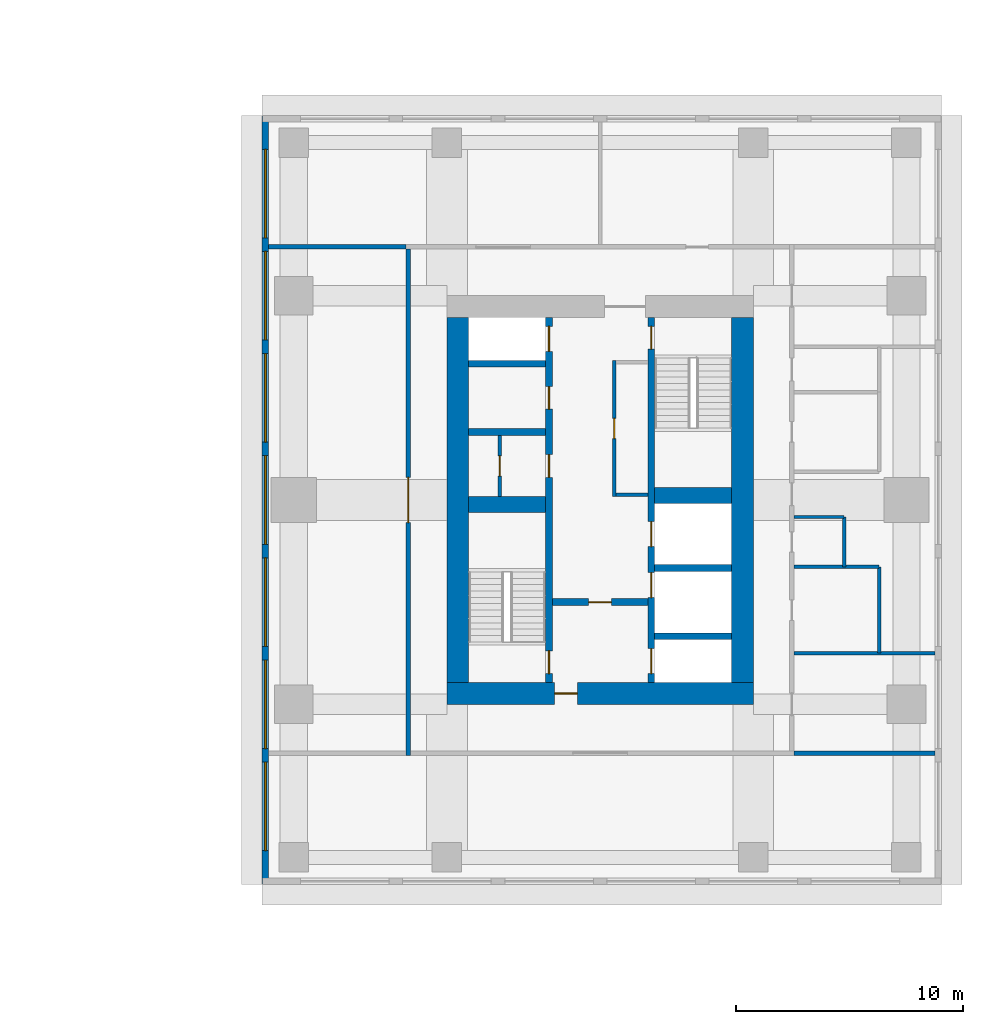
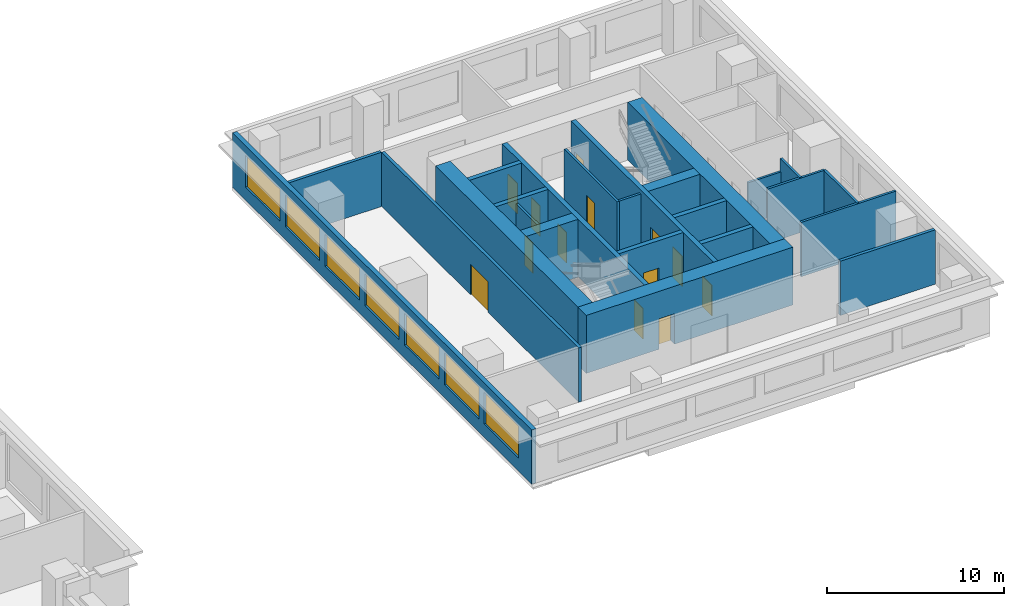
# One storey, part 6 of 10: 24 walls, 13 doors, 7 windows, 20 openings.
"""IFC4 building model written with IfcOpenShell, lengths in metres."""

from ifc_helpers import new_model, si_unit, direction, frame, frame_2d, origin, place, context, subcontext, project, spatial, rectangle, extrude, material, layer, layer_set, type_object, element, fill, save


model = new_model("IFC4")

# Units and contexts
model_context = context("Model", 3, precision=1e-05, world=origin(), true_north=direction((0.0, 1.0)))
body_context = subcontext(model_context, "Body", "Model", "MODEL_VIEW")
ifc_project = project(units=[si_unit("LENGTHUNIT", "METRE"), si_unit("AREAUNIT", "SQUARE_METRE"), si_unit("VOLUMEUNIT", "CUBIC_METRE"), si_unit("PLANEANGLEUNIT", "RADIAN"), si_unit("MASSUNIT", "GRAM", prefix="KILO")], contexts=[model_context])

# Site, building, storey
site_placement = place(None, origin())
site = spatial("IfcSite", under=ifc_project, at=site_placement, CompositionType="ELEMENT")
building_placement = place(site_placement, origin())
building = spatial("IfcBuilding", under=site, at=building_placement, Name="Namib Vertical Campus", CompositionType="ELEMENT")
storey_placement = place(building_placement, frame((0.0, 0.0, 229.0)))
storey = spatial("IfcBuildingStorey", under=building, at=storey_placement, Name="L54", CompositionType="ELEMENT", Elevation=229.0)

# Wall, openings, doors
ifc_material_1 = material(Name="Concrete C60/75", Category="concrete")
ifc_layer_1 = layer(ifc_material_1, 0.300048828125)
ifc_layer_set_1 = layer_set([ifc_layer_1], Name="Concrete C60/75")
wall_type_1 = type_object("IfcWallType", Name="Core inner wall 300", PredefinedType="SHEAR", material=ifc_layer_set_1)
wall_1_placement = place(storey_placement, frame((78.75, 12.199951171875, 0.0), z_axis=(0.0, 0.0, 1.0), x_axis=(0.0, 1.0, 0.0)))
wall_1 = element("IfcWall", 1, at=wall_1_placement, inside=storey, type_object=wall_type_1, Name="Core inner wall B L54 W1", PredefinedType="SHEAR", context=body_context, shape_type="SweptSolid", body=[
    extrude(rectangle(XDim=16.10009765625, YDim=0.300048828125, at=frame_2d((8.050048828125, 0.0))), origin(), (0.0, 0.0, 1.0), 4.0),
])
opening_1_placement = place(wall_1_placement, frame((0.39990234375, 0.0, 0.0)))
opening_1 = element("IfcOpeningElement", 2, at=opening_1_placement, cuts=wall_1, Name="Opening FD1", PredefinedType="OPENING", context=body_context, shape_type="SweptSolid", body=[
    extrude(rectangle(XDim=1.0, YDim=2.10009765625, at=frame_2d((0.5, 1.050048828125))), frame((0.0, 0.159912109375, 0.0), z_axis=(0.0, -1.0, 0.0), x_axis=(1.0, 0.0, 0.0)), (0.0, 0.0, 1.0), 0.320068359375),
])
opening_2_placement = place(wall_1_placement, frame((14.60009765625, 0.0, 0.0)))
opening_2 = element("IfcOpeningElement", 3, at=opening_2_placement, cuts=wall_1, Name="Opening LD1", PredefinedType="OPENING", context=body_context, shape_type="SweptSolid", body=[
    extrude(rectangle(XDim=1.10009765625, YDim=2.10009765625, at=frame_2d((0.550048828125, 1.050048828125))), frame((0.0, 0.159912109375, 0.0), z_axis=(0.0, -1.0, 0.0), x_axis=(1.0, 0.0, 0.0)), (0.0, 0.0, 1.0), 0.320068359375),
])
opening_3_placement = place(wall_1_placement, frame((9.050048828125, 0.0, 0.0)))
opening_3 = element("IfcOpeningElement", 4, at=opening_3_placement, cuts=wall_1, Name="Opening D1", PredefinedType="OPENING", context=body_context, shape_type="SweptSolid", body=[
    extrude(rectangle(XDim=1.0, YDim=2.10009765625, at=frame_2d((0.5, 1.050048828125))), frame((0.0, 0.159912109375, 0.0), z_axis=(0.0, -1.0, 0.0), x_axis=(1.0, 0.0, 0.0)), (0.0, 0.0, 1.0), 0.320068359375),
])
opening_4_placement = place(wall_1_placement, frame((12.050048828125, 0.0, 0.0)))
opening_4 = element("IfcOpeningElement", 5, at=opening_4_placement, cuts=wall_1, Name="Opening D1", PredefinedType="OPENING", context=body_context, shape_type="SweptSolid", body=[
    extrude(rectangle(XDim=1.0, YDim=2.10009765625, at=frame_2d((0.5, 1.050048828125))), frame((0.0, 0.159912109375, 0.0), z_axis=(0.0, -1.0, 0.0), x_axis=(1.0, 0.0, 0.0)), (0.0, 0.0, 1.0), 0.320068359375),
])
ifc_material_2 = material(Name="Timber door leaf", Category="wood")
door_type_1 = type_object("IfcDoorType", Name="Door single 1000x2100", OperationType="SINGLE_SWING_LEFT", PredefinedType="DOOR", material=ifc_material_2)
door_1_placement = place(opening_3_placement, origin())
door_1 = element("IfcDoor", 6, at=door_1_placement, inside=storey, type_object=door_type_1, Name="Door D1 Store B L54 P1", OperationType="SINGLE_SWING_LEFT", OverallHeight=2.10009765625, OverallWidth=1.0, PredefinedType="DOOR", context=body_context, shape_type="SweptSolid", body=[
    extrude(rectangle(XDim=1.0, YDim=2.10009765625, at=frame_2d((0.5, 1.050048828125))), frame((0.0, 0.02490234375, 0.0), z_axis=(0.0, -1.0, 0.0), x_axis=(1.0, 0.0, 0.0)), (0.0, 0.0, 1.0), 0.050048828125),
])
fill(opening_3, door_1)
door_2_placement = place(opening_4_placement, origin())
door_2 = element("IfcDoor", 7, at=door_2_placement, inside=storey, type_object=door_type_1, Name="Door D1 Cleaners' store B L54 P2", OperationType="SINGLE_SWING_LEFT", OverallHeight=2.10009765625, OverallWidth=1.0, PredefinedType="DOOR", context=body_context, shape_type="SweptSolid", body=[
    extrude(rectangle(XDim=1.0, YDim=2.10009765625, at=frame_2d((0.5, 1.050048828125))), frame((0.0, 0.02490234375, 0.0), z_axis=(0.0, -1.0, 0.0), x_axis=(1.0, 0.0, 0.0)), (0.0, 0.0, 1.0), 0.050048828125),
])
fill(opening_4, door_2)
ifc_material_3 = material(Name="Steel fire door", Category="steel")
door_type_2 = type_object("IfcDoorType", Name="Fire door 1000x2100", OperationType="SINGLE_SWING_RIGHT", PredefinedType="DOOR", material=ifc_material_3)
door_3_placement = place(opening_1_placement, origin())
door_3 = element("IfcDoor", 8, at=door_3_placement, inside=storey, type_object=door_type_2, Name="Stair door FD1 B L54 S1", OperationType="SINGLE_SWING_LEFT", OverallHeight=2.10009765625, OverallWidth=1.0, PredefinedType="DOOR", context=body_context, shape_type="SweptSolid", body=[
    extrude(rectangle(XDim=1.0, YDim=2.10009765625, at=frame_2d((0.5, 1.050048828125))), frame((0.0, 0.02490234375, 0.0), z_axis=(0.0, -1.0, 0.0), x_axis=(1.0, 0.0, 0.0)), (0.0, 0.0, 1.0), 0.050048828125),
])
fill(opening_1, door_3)
ifc_material_4 = material(Name="Stainless steel lift door", Category="steel")
door_type_3 = type_object("IfcDoorType", Name="Lift landing door 1100x2100", OperationType="DOUBLE_DOOR_SLIDING", PredefinedType="DOOR", material=ifc_material_4)
door_4_placement = place(opening_2_placement, origin())
door_4 = element("IfcDoor", 9, at=door_4_placement, inside=storey, type_object=door_type_3, Name="Lift landing door LD1 B-P3 L54", OperationType="DOUBLE_DOOR_SLIDING", OverallHeight=2.10009765625, OverallWidth=1.10009765625, PredefinedType="DOOR", context=body_context, shape_type="SweptSolid", body=[
    extrude(rectangle(XDim=1.10009765625, YDim=2.10009765625, at=frame_2d((0.550048828125, 1.050048828125))), frame((0.0, 0.02490234375, 0.0), z_axis=(0.0, -1.0, 0.0), x_axis=(1.0, 0.0, 0.0)), (0.0, 0.0, 1.0), 0.050048828125),
])
fill(opening_2, door_4)

wall_2_placement = place(storey_placement, frame((83.25, 12.199951171875, 0.0), z_axis=(0.0, 0.0, 1.0), x_axis=(0.0, 1.0, 0.0)))
wall_2 = element("IfcWall", 10, at=wall_2_placement, inside=storey, type_object=wall_type_1, Name="Core inner wall B L54 W2", PredefinedType="SHEAR", context=body_context, shape_type="SweptSolid", body=[
    extrude(rectangle(XDim=16.10009765625, YDim=0.300048828125, at=frame_2d((8.050048828125, 0.0))), origin(), (0.0, 0.0, 1.0), 4.0),
])
opening_5_placement = place(wall_2_placement, frame((14.699951171875, 0.0, 0.0)))
opening_5 = element("IfcOpeningElement", 11, at=opening_5_placement, cuts=wall_2, Name="Opening FD1", PredefinedType="OPENING", context=body_context, shape_type="SweptSolid", body=[
    extrude(rectangle(XDim=1.0, YDim=2.10009765625, at=frame_2d((0.5, 1.050048828125))), frame((0.0, 0.159912109375, 0.0), z_axis=(0.0, -1.0, 0.0), x_axis=(1.0, 0.0, 0.0)), (0.0, 0.0, 1.0), 0.320068359375),
])
opening_6_placement = place(wall_2_placement, frame((0.39990234375, 0.0, 0.0)))
opening_6 = element("IfcOpeningElement", 12, at=opening_6_placement, cuts=wall_2, Name="Opening LD1", PredefinedType="OPENING", context=body_context, shape_type="SweptSolid", body=[
    extrude(rectangle(XDim=1.10009765625, YDim=2.10009765625, at=frame_2d((0.550048828125, 1.050048828125))), frame((0.0, 0.159912109375, 0.0), z_axis=(0.0, -1.0, 0.0), x_axis=(1.0, 0.0, 0.0)), (0.0, 0.0, 1.0), 0.320068359375),
])
opening_7_placement = place(wall_2_placement, frame((3.75, 0.0, 0.0)))
opening_7 = element("IfcOpeningElement", 13, at=opening_7_placement, cuts=wall_2, Name="Opening LD1", PredefinedType="OPENING", context=body_context, shape_type="SweptSolid", body=[
    extrude(rectangle(XDim=1.10009765625, YDim=2.10009765625, at=frame_2d((0.550048828125, 1.050048828125))), frame((0.0, 0.159912109375, 0.0), z_axis=(0.0, -1.0, 0.0), x_axis=(1.0, 0.0, 0.0)), (0.0, 0.0, 1.0), 0.320068359375),
])
opening_8_placement = place(wall_2_placement, frame((6.0, 0.0, 0.0)))
opening_8 = element("IfcOpeningElement", 14, at=opening_8_placement, cuts=wall_2, Name="Opening LD1", PredefinedType="OPENING", context=body_context, shape_type="SweptSolid", body=[
    extrude(rectangle(XDim=1.10009765625, YDim=2.10009765625, at=frame_2d((0.550048828125, 1.050048828125))), frame((0.0, 0.159912109375, 0.0), z_axis=(0.0, -1.0, 0.0), x_axis=(1.0, 0.0, 0.0)), (0.0, 0.0, 1.0), 0.320068359375),
])
door_5_placement = place(opening_5_placement, frame((1.0, 0.0, 0.0), z_axis=(0.0, 0.0, 1.0), x_axis=(-1.0, 0.0, 0.0)))
door_5 = element("IfcDoor", 15, at=door_5_placement, inside=storey, type_object=door_type_2, Name="Stair door FD1 B L54 S2", OperationType="SINGLE_SWING_LEFT", OverallHeight=2.10009765625, OverallWidth=1.0, PredefinedType="DOOR", context=body_context, shape_type="SweptSolid", body=[
    extrude(rectangle(XDim=1.0, YDim=2.10009765625, at=frame_2d((0.5, 1.050048828125))), frame((0.0, 0.02490234375, 0.0), z_axis=(0.0, -1.0, 0.0), x_axis=(1.0, 0.0, 0.0)), (0.0, 0.0, 1.0), 0.050048828125),
])
fill(opening_5, door_5)
door_6_placement = place(opening_6_placement, origin())
door_6 = element("IfcDoor", 16, at=door_6_placement, inside=storey, type_object=door_type_3, Name="Lift landing door LD1 B-FL1 L54", OperationType="DOUBLE_DOOR_SLIDING", OverallHeight=2.10009765625, OverallWidth=1.10009765625, PredefinedType="DOOR", context=body_context, shape_type="SweptSolid", body=[
    extrude(rectangle(XDim=1.10009765625, YDim=2.10009765625, at=frame_2d((0.550048828125, 1.050048828125))), frame((0.0, 0.02490234375, 0.0), z_axis=(0.0, -1.0, 0.0), x_axis=(1.0, 0.0, 0.0)), (0.0, 0.0, 1.0), 0.050048828125),
])
fill(opening_6, door_6)
door_7_placement = place(opening_7_placement, origin())
door_7 = element("IfcDoor", 17, at=door_7_placement, inside=storey, type_object=door_type_3, Name="Lift landing door LD1 B-P4 L54", OperationType="DOUBLE_DOOR_SLIDING", OverallHeight=2.10009765625, OverallWidth=1.10009765625, PredefinedType="DOOR", context=body_context, shape_type="SweptSolid", body=[
    extrude(rectangle(XDim=1.10009765625, YDim=2.10009765625, at=frame_2d((0.550048828125, 1.050048828125))), frame((0.0, 0.02490234375, 0.0), z_axis=(0.0, -1.0, 0.0), x_axis=(1.0, 0.0, 0.0)), (0.0, 0.0, 1.0), 0.050048828125),
])
fill(opening_7, door_7)
door_8_placement = place(opening_8_placement, origin())
door_8 = element("IfcDoor", 18, at=door_8_placement, inside=storey, type_object=door_type_3, Name="Lift landing door LD1 B-P5 L54", OperationType="DOUBLE_DOOR_SLIDING", OverallHeight=2.10009765625, OverallWidth=1.10009765625, PredefinedType="DOOR", context=body_context, shape_type="SweptSolid", body=[
    extrude(rectangle(XDim=1.10009765625, YDim=2.10009765625, at=frame_2d((0.550048828125, 1.050048828125))), frame((0.0, 0.02490234375, 0.0), z_axis=(0.0, -1.0, 0.0), x_axis=(1.0, 0.0, 0.0)), (0.0, 0.0, 1.0), 0.050048828125),
])
fill(opening_8, door_8)

# Wall, opening, door
wall_3_placement = place(storey_placement, frame((78.89990234375, 15.75, 0.0), z_axis=(0.0, 0.0, 1.0), x_axis=(1.0, 0.0, 0.0)))
wall_3 = element("IfcWall", 19, at=wall_3_placement, inside=storey, type_object=wall_type_1, Name="Core inner wall B L54 W4", PredefinedType="SHEAR", context=body_context, shape_type="SweptSolid", body=[
    extrude(rectangle(XDim=4.2001953125, YDim=0.300048828125, at=frame_2d((2.10009765625, 0.0))), origin(), (0.0, 0.0, 1.0), 4.0),
])
opening_9_placement = place(wall_3_placement, frame((1.60009765625, 0.0, 0.0)))
opening_9 = element("IfcOpeningElement", 20, at=opening_9_placement, cuts=wall_3, Name="Opening FD5", PredefinedType="OPENING", context=body_context, shape_type="SweptSolid", body=[
    extrude(rectangle(XDim=1.0, YDim=2.10009765625, at=frame_2d((0.5, 1.050048828125))), frame((0.0, 0.159912109375, 0.0), z_axis=(0.0, -1.0, 0.0), x_axis=(1.0, 0.0, 0.0)), (0.0, 0.0, 1.0), 0.320068359375),
])
ifc_material_5 = material(Name="Steel fire door", Category="steel")
door_type_4 = type_object("IfcDoorType", Name="Fire door 1000x2100 120 min", OperationType="SINGLE_SWING_RIGHT", PredefinedType="DOOR", material=ifc_material_5)
door_9_placement = place(opening_9_placement, frame((1.0, 0.0, 0.0), z_axis=(0.0, 0.0, 1.0), x_axis=(-1.0, 0.0, 0.0)))
door_9 = element("IfcDoor", 21, at=door_9_placement, inside=storey, type_object=door_type_4, Name="Lobby door FD5 B L54", OperationType="SINGLE_SWING_RIGHT", OverallHeight=2.10009765625, OverallWidth=1.0, PredefinedType="DOOR", context=body_context, shape_type="SweptSolid", body=[
    extrude(rectangle(XDim=1.0, YDim=2.10009765625, at=frame_2d((0.5, 1.050048828125))), frame((0.0, 0.02490234375, 0.0), z_axis=(0.0, -1.0, 0.0), x_axis=(1.0, 0.0, 0.0)), (0.0, 0.0, 1.0), 0.050048828125),
])
fill(opening_9, door_9)

# Walls
for number, where, z_axis, x_axis, name in (
    (22, (83.39990234375, 14.25, 0.0), (0.0, 0.0, 1.0), (1.0, 0.0, 0.0), "Core inner wall B L54 W5"),
    (23, (83.39990234375, 17.25, 0.0), (0.0, 0.0, 1.0), (1.0, 0.0, 0.0), "Core inner wall B L54 W6"),
    (24, (75.199951171875, 23.25, 0.0), (0.0, 0.0, 1.0), (1.0, 0.0, 0.0), "Core inner wall B L54 W8"),
    (25, (75.199951171875, 26.25, 0.0), (0.0, 0.0, 1.0), (1.0, 0.0, 0.0), "Core inner wall B L54 W9"),
):
    element("IfcWall", number, at=place(storey_placement, frame(where, z_axis=z_axis, x_axis=x_axis)), inside=storey, type_object=wall_type_1, Name=name, PredefinedType="SHEAR", context=body_context, shape_type="SweptSolid", body=[
        extrude(rectangle(XDim=3.400146484375, YDim=0.300048828125, at=frame_2d((1.7001953125, 0.0))), origin(), (0.0, 0.0, 1.0), 4.0),
    ])
ifc_material_6 = material(Name="Concrete C60/75", Category="concrete")
ifc_layer_2 = layer(ifc_material_6, 0.699951171875)
ifc_layer_set_2 = layer_set([ifc_layer_2], Name="Concrete C60/75")
wall_type_2 = type_object("IfcWallType", Name="Core shear wall 700", PredefinedType="SHEAR", material=ifc_layer_set_2)
for number, where, z_axis, x_axis, name in (
    (26, (75.199951171875, 20.050048828125, 0.0), (0.0, 0.0, 1.0), (1.0, 0.0, 0.0), "Core shear wall B L54 W3"),
    (27, (83.39990234375, 20.449951171875, 0.0), (0.0, 0.0, 1.0), (1.0, 0.0, 0.0), "Core shear wall B L54 W7"),
):
    element("IfcWall", number, at=place(storey_placement, frame(where, z_axis=z_axis, x_axis=x_axis)), inside=storey, type_object=wall_type_2, Name=name, PredefinedType="SHEAR", context=body_context, shape_type="SweptSolid", body=[
        extrude(rectangle(XDim=3.400146484375, YDim=0.699951171875, at=frame_2d((1.7001953125, 0.0))), origin(), (0.0, 0.0, 1.0), 4.0),
    ])

# Wall, opening, door
ifc_material_7 = material(Name="Concrete C60/75", Category="concrete")
ifc_layer_3 = layer(ifc_material_7, 0.949951171875)
ifc_layer_set_3 = layer_set([ifc_layer_3], Name="Concrete C60/75")
wall_type_3 = type_object("IfcWallType", Name="Core wall 950", PredefinedType="SHEAR", material=ifc_layer_set_3)
wall_4_placement = place(storey_placement, frame((74.25, 11.72509765625, 0.0), z_axis=(0.0, 0.0, 1.0), x_axis=(1.0, 0.0, 0.0)))
wall_4 = element("IfcWall", 28, at=wall_4_placement, inside=storey, type_object=wall_type_3, Name="Core wall B L54 1", PredefinedType="SHEAR", context=body_context, shape_type="SweptSolid", body=[
    extrude(rectangle(XDim=13.5, YDim=0.949951171875, at=frame_2d((6.75, 0.0))), origin(), (0.0, 0.0, 1.0), 4.0),
])
opening_10_placement = place(wall_4_placement, frame((4.75, 0.0, 0.0)))
opening_10 = element("IfcOpeningElement", 29, at=opening_10_placement, cuts=wall_4, Name="Opening FD5", PredefinedType="OPENING", context=body_context, shape_type="SweptSolid", body=[
    extrude(rectangle(XDim=1.0, YDim=2.10009765625, at=frame_2d((0.5, 1.050048828125))), frame((0.0, 0.48486328125, 0.0), z_axis=(0.0, -1.0, 0.0), x_axis=(1.0, 0.0, 0.0)), (0.0, 0.0, 1.0), 0.969970703125),
])
door_10_placement = place(opening_10_placement, origin())
door_10 = element("IfcDoor", 30, at=door_10_placement, inside=storey, type_object=door_type_4, Name="Firefighting lobby door FD5 B L54", OperationType="SINGLE_SWING_LEFT", OverallHeight=2.10009765625, OverallWidth=1.0, PredefinedType="DOOR", context=body_context, shape_type="SweptSolid", body=[
    extrude(rectangle(XDim=1.0, YDim=2.10009765625, at=frame_2d((0.5, 1.050048828125))), frame((0.0, 0.02490234375, 0.0), z_axis=(0.0, -1.0, 0.0), x_axis=(1.0, 0.0, 0.0)), (0.0, 0.0, 1.0), 0.050048828125),
])
fill(opening_10, door_10)

# Walls
for number, where, z_axis, x_axis, name in (
    (31, (87.27490234375, 12.199951171875, 0.0), (0.0, 0.0, 1.0), (0.0, 1.0, 0.0), "Core wall B L54 2"),
    (32, (74.72509765625, 28.300048828125, 0.0), (0.0, 0.0, 1.0), (0.0, -1.0, 0.0), "Core wall B L54 4"),
):
    element("IfcWall", number, at=place(storey_placement, frame(where, z_axis=z_axis, x_axis=x_axis)), inside=storey, type_object=wall_type_3, Name=name, PredefinedType="SHEAR", context=body_context, shape_type="SweptSolid", body=[
        extrude(rectangle(XDim=16.10009765625, YDim=0.949951171875, at=frame_2d((8.050048828125, 0.0))), origin(), (0.0, 0.0, 1.0), 4.0),
    ])

# Wall, opening, door
ifc_material_8 = material(Name="Concrete masonry", Category="masonry")
ifc_layer_4 = layer(ifc_material_8, 0.199951171875)
ifc_layer_set_4 = layer_set([ifc_layer_4], Name="Corridor wall 200")
wall_type_4 = type_object("IfcWallType", Name="Corridor wall 200", PredefinedType="SOLIDWALL", material=ifc_layer_set_4)
wall_5_placement = place(storey_placement, frame((72.550048828125, 31.300048828125, 0.0), z_axis=(0.0, 0.0, 1.0), x_axis=(0.0, -1.0, 0.0)))
wall_5 = element("IfcWall", 33, at=wall_5_placement, inside=storey, type_object=wall_type_4, Name="Corridor wall B L54 CW", PredefinedType="SOLIDWALL", context=body_context, shape_type="SweptSolid", body=[
    extrude(rectangle(XDim=22.300048828125, YDim=0.199951171875, at=frame_2d((11.14990234375, 0.0))), origin(), (0.0, 0.0, 1.0), 3.75),
])
opening_11_placement = place(wall_5_placement, frame((10.050048828125, 0.0, 0.0)))
opening_11 = element("IfcOpeningElement", 34, at=opening_11_placement, cuts=wall_5, Name="Opening WD1", PredefinedType="OPENING", context=body_context, shape_type="SweptSolid", body=[
    extrude(rectangle(XDim=2.0, YDim=2.10009765625, at=frame_2d((1.0, 1.050048828125))), frame((0.0, 0.10986328125, 0.0), z_axis=(0.0, -1.0, 0.0), x_axis=(1.0, 0.0, 0.0)), (0.0, 0.0, 1.0), 0.219970703125),
])
ifc_material_9 = material(Name="Steel door", Category="steel")
door_type_5 = type_object("IfcDoorType", Name="Workshop door pair 2000x2100", OperationType="DOUBLE_DOOR_SINGLE_SWING", PredefinedType="DOOR", material=ifc_material_9)
door_11_placement = place(opening_11_placement, frame((2.0, 0.0, 0.0), z_axis=(0.0, 0.0, 1.0), x_axis=(-1.0, 0.0, 0.0)))
door_11 = element("IfcDoor", 35, at=door_11_placement, inside=storey, type_object=door_type_5, Name="Door WD1 B54-11", OperationType="DOUBLE_DOOR_SINGLE_SWING", OverallHeight=2.10009765625, OverallWidth=2.0, PredefinedType="DOOR", context=body_context, shape_type="SweptSolid", body=[
    extrude(rectangle(XDim=2.0, YDim=2.10009765625, at=frame_2d((1.0, 1.050048828125))), frame((0.0, 0.02490234375, 0.0), z_axis=(0.0, -1.0, 0.0), x_axis=(1.0, 0.0, 0.0)), (0.0, 0.0, 1.0), 0.050048828125),
])
fill(opening_11, door_11)

# Walls
wall_6_placement = place(storey_placement, frame((89.550048828125, 9.10009765625, 0.0), z_axis=(0.0, 0.0, 1.0), x_axis=(1.0, 0.0, 0.0)))
element("IfcWall", 36, at=wall_6_placement, inside=storey, type_object=wall_type_4, Name="Partition B L54 BSE", PredefinedType="SOLIDWALL", context=body_context, shape_type="SweptSolid", body=[
    extrude(rectangle(XDim=6.199951171875, YDim=0.199951171875, at=frame_2d((3.10009765625, 0.0))), origin(), (0.0, 0.0, 1.0), 3.75),
])
wall_7_placement = place(storey_placement, frame((66.39990234375, 31.39990234375, 0.0), z_axis=(0.0, 0.0, 1.0), x_axis=(1.0, 0.0, 0.0)))
element("IfcWall", 37, at=wall_7_placement, inside=storey, type_object=wall_type_4, Name="Partition B L54 BNW", PredefinedType="SOLIDWALL", context=body_context, shape_type="SweptSolid", body=[
    extrude(rectangle(XDim=6.050048828125, YDim=0.199951171875, at=frame_2d((3.02490234375, 0.0))), origin(), (0.0, 0.0, 1.0), 3.75),
])

# Wall, openings, windows
ifc_material_10 = material(Name="Concrete C40/50", Category="concrete")
ifc_layer_5 = layer(ifc_material_10, 0.300048828125)
ifc_layer_set_5 = layer_set([ifc_layer_5], Name="Concrete C40/50")
wall_type_5 = type_object("IfcWallType", Name="External wall 300 board-marked concrete", PredefinedType="STANDARD", material=ifc_layer_set_5)
wall_8_placement = place(storey_placement, frame((66.25, 37.179931640625, 0.0), z_axis=(0.0, 0.0, 1.0), x_axis=(0.0, -1.0, 0.0)))
wall_8 = element("IfcWall", 38, at=wall_8_placement, inside=storey, type_object=wall_type_5, Name="External wall L54 F04", PredefinedType="STANDARD", context=body_context, shape_type="SweptSolid", body=[
    extrude(rectangle(XDim=33.85986328125, YDim=0.300048828125, at=frame_2d((16.929931640625, 0.0))), origin(), (0.0, 0.0, 1.0), 3.75),
])
opening_12_placement = place(wall_8_placement, frame((28.47998046875, 0.0, 0.89990234375)))
opening_12 = element("IfcOpeningElement", 39, at=opening_12_placement, cuts=wall_8, Name="Opening LV1", PredefinedType="OPENING", context=body_context, shape_type="SweptSolid", body=[
    extrude(rectangle(XDim=3.89990234375, YDim=2.199951171875, at=frame_2d((1.949951171875, 1.10009765625))), frame((0.0, 0.159912109375, 0.0), z_axis=(0.0, -1.0, 0.0), x_axis=(1.0, 0.0, 0.0)), (0.0, 0.0, 1.0), 0.320068359375),
])
opening_13_placement = place(wall_8_placement, frame((23.97998046875, 0.0, 0.89990234375)))
opening_13 = element("IfcOpeningElement", 40, at=opening_13_placement, cuts=wall_8, Name="Opening LV1", PredefinedType="OPENING", context=body_context, shape_type="SweptSolid", body=[
    extrude(rectangle(XDim=3.89990234375, YDim=2.199951171875, at=frame_2d((1.949951171875, 1.10009765625))), frame((0.0, 0.159912109375, 0.0), z_axis=(0.0, -1.0, 0.0), x_axis=(1.0, 0.0, 0.0)), (0.0, 0.0, 1.0), 0.320068359375),
])
opening_14_placement = place(wall_8_placement, frame((19.47998046875, 0.0, 0.89990234375)))
opening_14 = element("IfcOpeningElement", 41, at=opening_14_placement, cuts=wall_8, Name="Opening LV1", PredefinedType="OPENING", context=body_context, shape_type="SweptSolid", body=[
    extrude(rectangle(XDim=3.89990234375, YDim=2.199951171875, at=frame_2d((1.949951171875, 1.10009765625))), frame((0.0, 0.159912109375, 0.0), z_axis=(0.0, -1.0, 0.0), x_axis=(1.0, 0.0, 0.0)), (0.0, 0.0, 1.0), 0.320068359375),
])
opening_15_placement = place(wall_8_placement, frame((14.97998046875, 0.0, 0.89990234375)))
opening_15 = element("IfcOpeningElement", 42, at=opening_15_placement, cuts=wall_8, Name="Opening LV1", PredefinedType="OPENING", context=body_context, shape_type="SweptSolid", body=[
    extrude(rectangle(XDim=3.89990234375, YDim=2.199951171875, at=frame_2d((1.949951171875, 1.10009765625))), frame((0.0, 0.159912109375, 0.0), z_axis=(0.0, -1.0, 0.0), x_axis=(1.0, 0.0, 0.0)), (0.0, 0.0, 1.0), 0.320068359375),
])
opening_16_placement = place(wall_8_placement, frame((10.47998046875, 0.0, 0.89990234375)))
opening_16 = element("IfcOpeningElement", 43, at=opening_16_placement, cuts=wall_8, Name="Opening LV1", PredefinedType="OPENING", context=body_context, shape_type="SweptSolid", body=[
    extrude(rectangle(XDim=3.89990234375, YDim=2.199951171875, at=frame_2d((1.949951171875, 1.10009765625))), frame((0.0, 0.159912109375, 0.0), z_axis=(0.0, -1.0, 0.0), x_axis=(1.0, 0.0, 0.0)), (0.0, 0.0, 1.0), 0.320068359375),
])
opening_17_placement = place(wall_8_placement, frame((5.97998046875, 0.0, 0.89990234375)))
opening_17 = element("IfcOpeningElement", 44, at=opening_17_placement, cuts=wall_8, Name="Opening LV1", PredefinedType="OPENING", context=body_context, shape_type="SweptSolid", body=[
    extrude(rectangle(XDim=3.89990234375, YDim=2.199951171875, at=frame_2d((1.949951171875, 1.10009765625))), frame((0.0, 0.159912109375, 0.0), z_axis=(0.0, -1.0, 0.0), x_axis=(1.0, 0.0, 0.0)), (0.0, 0.0, 1.0), 0.320068359375),
])
opening_18_placement = place(wall_8_placement, frame((1.47998046875, 0.0, 0.89990234375)))
opening_18 = element("IfcOpeningElement", 45, at=opening_18_placement, cuts=wall_8, Name="Opening LV1", PredefinedType="OPENING", context=body_context, shape_type="SweptSolid", body=[
    extrude(rectangle(XDim=3.89990234375, YDim=2.199951171875, at=frame_2d((1.949951171875, 1.10009765625))), frame((0.0, 0.159912109375, 0.0), z_axis=(0.0, -1.0, 0.0), x_axis=(1.0, 0.0, 0.0)), (0.0, 0.0, 1.0), 0.320068359375),
])
ifc_material_11 = material(Name="Black aluminium louvre", Category="aluminium")
window_type = type_object("IfcWindowType", Name="Plant louvre 3900x2200", PartitioningType="SINGLE_PANEL", PredefinedType="WINDOW", material=ifc_material_11)
window_1_placement = place(opening_12_placement, origin())
window_1 = element("IfcWindow", 46, at=window_1_placement, inside=storey, type_object=window_type, Name="Plant louvre LV1 L54 F04-1", OverallHeight=2.199951171875, OverallWidth=3.89990234375, PartitioningType="SINGLE_PANEL", PredefinedType="WINDOW", context=body_context, shape_type="SweptSolid", body=[
    extrude(rectangle(XDim=3.89990234375, YDim=2.199951171875, at=frame_2d((1.949951171875, 1.10009765625))), frame((0.0, 0.030029296875, 0.0), z_axis=(0.0, -1.0, 0.0), x_axis=(1.0, 0.0, 0.0)), (0.0, 0.0, 1.0), 0.06005859375),
])
fill(opening_12, window_1)
window_2_placement = place(opening_13_placement, origin())
window_2 = element("IfcWindow", 47, at=window_2_placement, inside=storey, type_object=window_type, Name="Plant louvre LV1 L54 F04-2", OverallHeight=2.199951171875, OverallWidth=3.89990234375, PartitioningType="SINGLE_PANEL", PredefinedType="WINDOW", context=body_context, shape_type="SweptSolid", body=[
    extrude(rectangle(XDim=3.89990234375, YDim=2.199951171875, at=frame_2d((1.949951171875, 1.10009765625))), frame((0.0, 0.030029296875, 0.0), z_axis=(0.0, -1.0, 0.0), x_axis=(1.0, 0.0, 0.0)), (0.0, 0.0, 1.0), 0.06005859375),
])
fill(opening_13, window_2)
window_3_placement = place(opening_14_placement, origin())
window_3 = element("IfcWindow", 48, at=window_3_placement, inside=storey, type_object=window_type, Name="Plant louvre LV1 L54 F04-3", OverallHeight=2.199951171875, OverallWidth=3.89990234375, PartitioningType="SINGLE_PANEL", PredefinedType="WINDOW", context=body_context, shape_type="SweptSolid", body=[
    extrude(rectangle(XDim=3.89990234375, YDim=2.199951171875, at=frame_2d((1.949951171875, 1.10009765625))), frame((0.0, 0.030029296875, 0.0), z_axis=(0.0, -1.0, 0.0), x_axis=(1.0, 0.0, 0.0)), (0.0, 0.0, 1.0), 0.06005859375),
])
fill(opening_14, window_3)
window_4_placement = place(opening_15_placement, origin())
window_4 = element("IfcWindow", 49, at=window_4_placement, inside=storey, type_object=window_type, Name="Plant louvre LV1 L54 F04-4", OverallHeight=2.199951171875, OverallWidth=3.89990234375, PartitioningType="SINGLE_PANEL", PredefinedType="WINDOW", context=body_context, shape_type="SweptSolid", body=[
    extrude(rectangle(XDim=3.89990234375, YDim=2.199951171875, at=frame_2d((1.949951171875, 1.10009765625))), frame((0.0, 0.030029296875, 0.0), z_axis=(0.0, -1.0, 0.0), x_axis=(1.0, 0.0, 0.0)), (0.0, 0.0, 1.0), 0.06005859375),
])
fill(opening_15, window_4)
window_5_placement = place(opening_16_placement, origin())
window_5 = element("IfcWindow", 50, at=window_5_placement, inside=storey, type_object=window_type, Name="Plant louvre LV1 L54 F04-5", OverallHeight=2.199951171875, OverallWidth=3.89990234375, PartitioningType="SINGLE_PANEL", PredefinedType="WINDOW", context=body_context, shape_type="SweptSolid", body=[
    extrude(rectangle(XDim=3.89990234375, YDim=2.199951171875, at=frame_2d((1.949951171875, 1.10009765625))), frame((0.0, 0.030029296875, 0.0), z_axis=(0.0, -1.0, 0.0), x_axis=(1.0, 0.0, 0.0)), (0.0, 0.0, 1.0), 0.06005859375),
])
fill(opening_16, window_5)
window_6_placement = place(opening_17_placement, origin())
window_6 = element("IfcWindow", 51, at=window_6_placement, inside=storey, type_object=window_type, Name="Plant louvre LV1 L54 F04-6", OverallHeight=2.199951171875, OverallWidth=3.89990234375, PartitioningType="SINGLE_PANEL", PredefinedType="WINDOW", context=body_context, shape_type="SweptSolid", body=[
    extrude(rectangle(XDim=3.89990234375, YDim=2.199951171875, at=frame_2d((1.949951171875, 1.10009765625))), frame((0.0, 0.030029296875, 0.0), z_axis=(0.0, -1.0, 0.0), x_axis=(1.0, 0.0, 0.0)), (0.0, 0.0, 1.0), 0.06005859375),
])
fill(opening_17, window_6)
window_7_placement = place(opening_18_placement, origin())
window_7 = element("IfcWindow", 52, at=window_7_placement, inside=storey, type_object=window_type, Name="Plant louvre LV1 L54 F04-7", OverallHeight=2.199951171875, OverallWidth=3.89990234375, PartitioningType="SINGLE_PANEL", PredefinedType="WINDOW", context=body_context, shape_type="SweptSolid", body=[
    extrude(rectangle(XDim=3.89990234375, YDim=2.199951171875, at=frame_2d((1.949951171875, 1.10009765625))), frame((0.0, 0.030029296875, 0.0), z_axis=(0.0, -1.0, 0.0), x_axis=(1.0, 0.0, 0.0)), (0.0, 0.0, 1.0), 0.06005859375),
])
fill(opening_18, window_7)

# Wall, opening, door
ifc_material_12 = material(Name="Gypsum board on steel studs", Category="steel")
ifc_layer_6 = layer(ifc_material_12, 0.14990234375)
ifc_layer_set_6 = layer_set([ifc_layer_6], Name="Gypsum board on steel studs")
wall_type_6 = type_object("IfcWallType", Name="Partition 150", PredefinedType="PARTITIONING", material=ifc_layer_set_6)
wall_9_placement = place(storey_placement, frame((81.625, 20.39990234375, 0.0), z_axis=(0.0, 0.0, 1.0), x_axis=(0.0, 1.0, 0.0)))
wall_9 = element("IfcWall", 53, at=wall_9_placement, inside=storey, type_object=wall_type_6, Name="Partition B L54 Store front", PredefinedType="PARTITIONING", context=body_context, shape_type="SweptSolid", body=[
    extrude(rectangle(XDim=6.0, YDim=0.14990234375, at=frame_2d((3.0, 0.0))), origin(), (0.0, 0.0, 1.0), 3.75),
])
opening_19_placement = place(wall_9_placement, frame((2.550048828125, 0.0, 0.0)))
opening_19 = element("IfcOpeningElement", 54, at=opening_19_placement, cuts=wall_9, Name="Opening D3", PredefinedType="OPENING", context=body_context, shape_type="SweptSolid", body=[
    extrude(rectangle(XDim=0.89990234375, YDim=2.10009765625, at=frame_2d((0.449951171875, 1.050048828125))), frame((0.0, 0.0849609375, 0.0), z_axis=(0.0, -1.0, 0.0), x_axis=(1.0, 0.0, 0.0)), (0.0, 0.0, 1.0), 0.169921875),
])
ifc_material_13 = material(Name="Timber door leaf", Category="wood")
door_type_6 = type_object("IfcDoorType", Name="Toilet door 900x2100", OperationType="SINGLE_SWING_LEFT", PredefinedType="DOOR", material=ifc_material_13)
door_12_placement = place(opening_19_placement, frame((0.89990234375, 0.0, 0.0), z_axis=(0.0, 0.0, 1.0), x_axis=(-1.0, 0.0, 0.0)))
door_12 = element("IfcDoor", 55, at=door_12_placement, inside=storey, type_object=door_type_6, Name="Door D3 Store B L54", OperationType="SINGLE_SWING_RIGHT", OverallHeight=2.10009765625, OverallWidth=0.89990234375, PredefinedType="DOOR", context=body_context, shape_type="SweptSolid", body=[
    extrude(rectangle(XDim=0.89990234375, YDim=2.10009765625, at=frame_2d((0.449951171875, 1.050048828125))), frame((0.0, 0.02490234375, 0.0), z_axis=(0.0, -1.0, 0.0), x_axis=(1.0, 0.0, 0.0)), (0.0, 0.0, 1.0), 0.050048828125),
])
fill(opening_19, door_12)

# Wall
wall_10_placement = place(storey_placement, frame((81.699951171875, 20.47509765625, 0.0), z_axis=(0.0, 0.0, 1.0), x_axis=(1.0, 0.0, 0.0)))
element("IfcWall", 56, at=wall_10_placement, inside=storey, type_object=wall_type_6, Name="Partition B L54 Store end 1", PredefinedType="PARTITIONING", context=body_context, shape_type="SweptSolid", body=[
    extrude(rectangle(XDim=1.400146484375, YDim=0.14990234375, at=frame_2d((0.7001953125, 0.0))), origin(), (0.0, 0.0, 1.0), 3.75),
])

# Wall, opening, door
wall_11_placement = place(storey_placement, frame((76.574951171875, 20.39990234375, 0.0), z_axis=(0.0, 0.0, 1.0), x_axis=(0.0, 1.0, 0.0)))
wall_11 = element("IfcWall", 57, at=wall_11_placement, inside=storey, type_object=wall_type_6, Name="Partition B L54 Store P1 back", PredefinedType="PARTITIONING", context=body_context, shape_type="SweptSolid", body=[
    extrude(rectangle(XDim=2.7001953125, YDim=0.14990234375, at=frame_2d((1.35009765625, 0.0))), origin(), (0.0, 0.0, 1.0), 3.75),
])
opening_20_placement = place(wall_11_placement, frame((0.89990234375, 0.0, 0.0)))
opening_20 = element("IfcOpeningElement", 58, at=opening_20_placement, cuts=wall_11, Name="Opening D3", PredefinedType="OPENING", context=body_context, shape_type="SweptSolid", body=[
    extrude(rectangle(XDim=0.89990234375, YDim=2.10009765625, at=frame_2d((0.449951171875, 1.050048828125))), frame((0.0, 0.0849609375, 0.0), z_axis=(0.0, -1.0, 0.0), x_axis=(1.0, 0.0, 0.0)), (0.0, 0.0, 1.0), 0.169921875),
])
door_13_placement = place(opening_20_placement, origin())
door_13 = element("IfcDoor", 59, at=door_13_placement, inside=storey, type_object=door_type_6, Name="Door D3 Store B L54 P1", OperationType="SINGLE_SWING_LEFT", OverallHeight=2.10009765625, OverallWidth=0.89990234375, PredefinedType="DOOR", context=body_context, shape_type="SweptSolid", body=[
    extrude(rectangle(XDim=0.89990234375, YDim=2.10009765625, at=frame_2d((0.449951171875, 1.050048828125))), frame((0.0, 0.02490234375, 0.0), z_axis=(0.0, -1.0, 0.0), x_axis=(1.0, 0.0, 0.0)), (0.0, 0.0, 1.0), 0.050048828125),
])
fill(opening_20, door_13)

# Walls
wall_12_placement = place(storey_placement, frame((89.550048828125, 13.5, 0.0), z_axis=(0.0, 0.0, 1.0), x_axis=(1.0, 0.0, 0.0)))
element("IfcWall", 60, at=wall_12_placement, inside=storey, type_object=wall_type_6, Name="Partition B L54 PE1", PredefinedType="PARTITIONING", context=body_context, shape_type="SweptSolid", body=[
    extrude(rectangle(XDim=6.199951171875, YDim=0.14990234375, at=frame_2d((3.10009765625, 0.0))), origin(), (0.0, 0.0, 1.0), 3.75),
])
wall_13_placement = place(storey_placement, frame((89.550048828125, 17.300048828125, 0.0), z_axis=(0.0, 0.0, 1.0), x_axis=(1.0, 0.0, 0.0)))
element("IfcWall", 61, at=wall_13_placement, inside=storey, type_object=wall_type_6, Name="Partition B L54 WR1", PredefinedType="PARTITIONING", context=body_context, shape_type="SweptSolid", body=[
    extrude(rectangle(XDim=3.75, YDim=0.14990234375, at=frame_2d((1.875, 0.0))), origin(), (0.0, 0.0, 1.0), 3.75),
])
wall_14_placement = place(storey_placement, frame((89.550048828125, 19.5, 0.0), z_axis=(0.0, 0.0, 1.0), x_axis=(1.0, 0.0, 0.0)))
element("IfcWall", 62, at=wall_14_placement, inside=storey, type_object=wall_type_6, Name="Partition B L54 WR2", PredefinedType="PARTITIONING", context=body_context, shape_type="SweptSolid", body=[
    extrude(rectangle(XDim=2.199951171875, YDim=0.14990234375, at=frame_2d((1.10009765625, 0.0))), origin(), (0.0, 0.0, 1.0), 2.85009765625),
])
wall_15_placement = place(storey_placement, frame((93.300048828125, 13.5, 0.0), z_axis=(0.0, 0.0, 1.0), x_axis=(0.0, 1.0, 0.0)))
element("IfcWall", 63, at=wall_15_placement, inside=storey, type_object=wall_type_6, Name="Partition B L54 WB1", PredefinedType="PARTITIONING", context=body_context, shape_type="SweptSolid", body=[
    extrude(rectangle(XDim=3.800048828125, YDim=0.14990234375, at=frame_2d((1.89990234375, 0.0))), origin(), (0.0, 0.0, 1.0), 3.75),
])
wall_16_placement = place(storey_placement, frame((91.75, 17.300048828125, 0.0), z_axis=(0.0, 0.0, 1.0), x_axis=(0.0, 1.0, 0.0)))
element("IfcWall", 64, at=wall_16_placement, inside=storey, type_object=wall_type_6, Name="Partition B L54 WB2", PredefinedType="PARTITIONING", context=body_context, shape_type="SweptSolid", body=[
    extrude(rectangle(XDim=2.199951171875, YDim=0.14990234375, at=frame_2d((1.10009765625, 0.0))), origin(), (0.0, 0.0, 1.0), 3.75),
])

save(model, "model.ifc")
